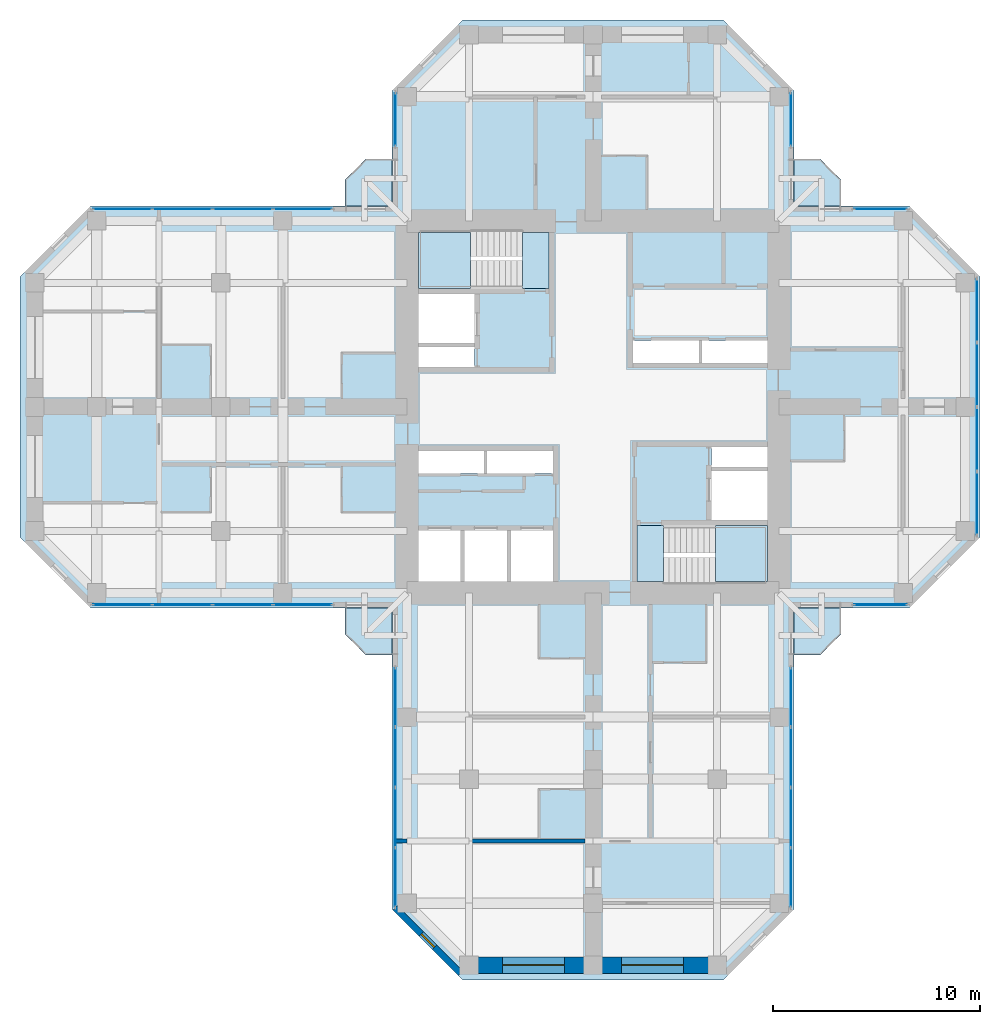
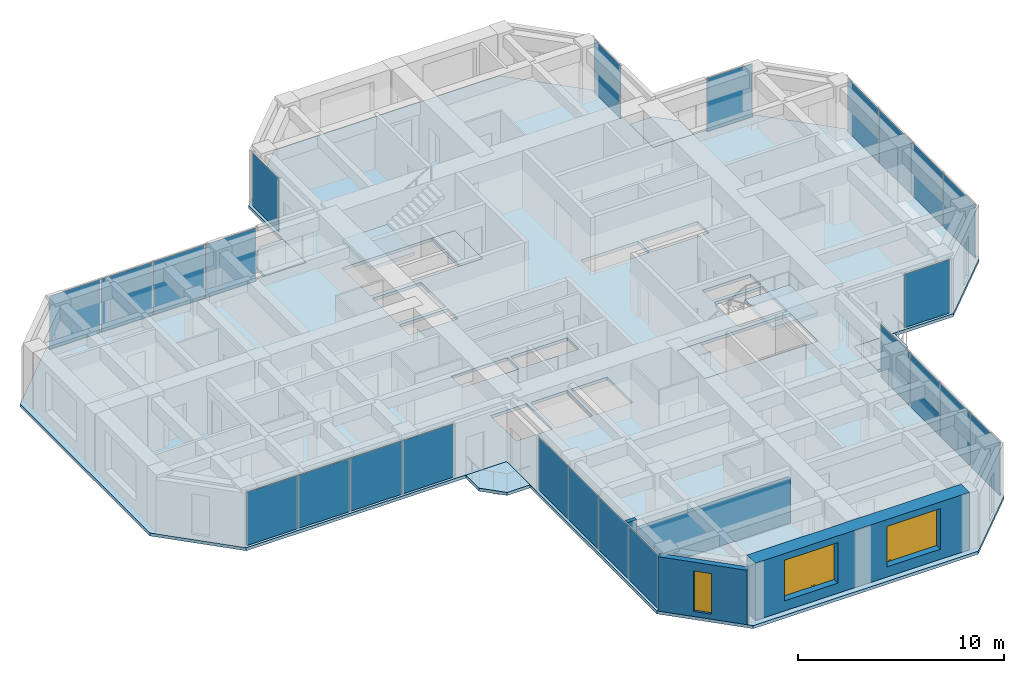
# One storey, part 7 of 13: 24 plates, 9 slabs, 4 walls, 3 windows, 3 openings, 11 elements without a shape of their own.
"""IFC4 building model written with IfcOpenShell, lengths in metres."""

import ifcopenshell
import ifcopenshell.guid

model = None  # the IFC model being written
_history = None  # IfcOwnerHistory: only IFC2X3 demands one
_inside = {}  # id of a spatial element -> (the spatial element, [elements in it])
_under = {}  # id of a project, library or spatial element -> (it, [spatial elements below it])
_declared = {}  # id of a project -> (the project, [libraries it declares])
_typed = {}  # id of a type object -> (the type object, [elements of that type])
_made_of = {}  # id of a material, layer set ... -> (it, [elements and type objects made of it])


def new_model(schema):
    """Start an empty IFC model of exactly this schema.

    Asked for "IFC4X3", IfcOpenShell would pick the latest addendum, in which some entities
    have other attributes; the version numbers below select the first issue.
    IFC2X3 requires an IfcOwnerHistory on every rooted entity: one is made here for all.
    """
    global model, _history
    if schema == "IFC4X3":
        model = ifcopenshell.file(schema_version=(4, 3, 0, 0))
    else:
        model = ifcopenshell.file(schema=schema)
    _inside.clear()
    _under.clear()
    _declared.clear()
    _typed.clear()
    _made_of.clear()
    _history = None
    if model.schema == "IFC2X3":
        org = make("IfcOrganization", Name="unknown")
        user = make(
            "IfcPersonAndOrganization",
            ThePerson=make("IfcPerson", FamilyName="unknown"),
            TheOrganization=org,
        )
        app = make(
            "IfcApplication",
            ApplicationDeveloper=org,
            Version="unknown",
            ApplicationFullName="unknown",
            ApplicationIdentifier="unknown",
        )
        _history = make(
            "IfcOwnerHistory",
            OwningUser=user,
            OwningApplication=app,
            ChangeAction="ADDED",
            CreationDate=0,
        )
    return model


def make(cls, **values):
    """One entity of the class cls with the attributes given. An attribute that is None is left unset."""
    return model.create_entity(
        cls, **{name: value for name, value in values.items() if value is not None}
    )


def rooted(cls, **values):
    """An entity with a GlobalId (a new one), such as an element, a storey or a relation."""
    return make(cls, GlobalId=ifcopenshell.guid.new(), OwnerHistory=_history, **values)


def si_unit(unit_type, name, prefix=None):
    """IfcSIUnit, for example si_unit("LENGTHUNIT", "METRE", prefix="MILLI")."""
    return make("IfcSIUnit", UnitType=unit_type, Prefix=prefix, Name=name)


def assignment(units):
    """IfcUnitAssignment: the units of a project."""
    return None if units is None else make("IfcUnitAssignment", Units=units)


def point(xyz):
    """IfcCartesianPoint."""
    return None if xyz is None else make("IfcCartesianPoint", Coordinates=xyz)


def direction(xyz):
    """IfcDirection."""
    return None if xyz is None else make("IfcDirection", DirectionRatios=xyz)


def frame(location, z_axis=None, x_axis=None):
    """IfcAxis2Placement3D, a coordinate frame: its origin and axes. An axis left out is left unset."""
    return make(
        "IfcAxis2Placement3D",
        Location=point(location),
        Axis=direction(z_axis),
        RefDirection=direction(x_axis),
    )


def frame_2d(location, x_axis=None):
    """IfcAxis2Placement2D, a coordinate frame in the plane: its origin and x axis."""
    return make(
        "IfcAxis2Placement2D", Location=point(location), RefDirection=direction(x_axis)
    )


def origin():
    """The frame at (0, 0, 0) with its axes left unset."""
    return frame((0.0, 0.0, 0.0))


def origin_2d():
    """The frame at (0, 0) in the plane with its x axis left unset."""
    return frame_2d((0.0, 0.0))


def place(relative_to, where):
    """IfcLocalPlacement: puts the frame where relative to a parent placement (None: the world)."""
    return make(
        "IfcLocalPlacement", PlacementRelTo=relative_to, RelativePlacement=where
    )


def context(
    kind, dimensions, precision=None, world=None, true_north=None, identifier=None
):
    """IfcGeometricRepresentationContext, for example the 3D "Model" context."""
    return make(
        "IfcGeometricRepresentationContext",
        ContextIdentifier=identifier,
        ContextType=kind,
        CoordinateSpaceDimension=dimensions,
        Precision=precision,
        WorldCoordinateSystem=world,
        TrueNorth=true_north,
    )


def subcontext(parent, identifier, kind, view, scale=None):
    """IfcGeometricRepresentationSubContext, for example "Body" below "Model"."""
    return make(
        "IfcGeometricRepresentationSubContext",
        ContextIdentifier=identifier,
        ContextType=kind,
        ParentContext=parent,
        TargetScale=scale,
        TargetView=view,
    )


def project(units=None, contexts=None):
    """IfcProject with its units and contexts."""
    return rooted(
        "IfcProject",
        Name="project",
        RepresentationContexts=contexts,
        UnitsInContext=assignment(units),
    )


def spatial(cls, under=None, at=None, **own):
    """A site, building, storey or space (cls), placed at a placement, below another one or the project."""
    s = rooted(cls, ObjectPlacement=at, **own)
    if under is not None:
        _under.setdefault(under.id(), (under, []))[1].append(s)
    return s


def polyline(points):
    """IfcPolyline through the points."""
    return make("IfcPolyline", Points=[point(p) for p in points])


def profile(cls, at=None, kind="AREA", **sizes):
    """A parametric profile (cls). Its sizes go by their IFC names, for example OverallWidth=200.0."""
    return make(cls, ProfileType=kind, Position=at, **sizes)


def rectangle(**sizes):
    """IfcRectangleProfileDef."""
    return profile("IfcRectangleProfileDef", **sizes)


def hollow_rectangle(**sizes):
    """IfcRectangleHollowProfileDef."""
    return profile("IfcRectangleHollowProfileDef", **sizes)


def outline(outer, holes=None, kind="AREA"):
    """IfcArbitraryClosedProfileDef: a profile drawn as a closed curve; with holes, ...WithVoids."""
    if holes is None:
        return make("IfcArbitraryClosedProfileDef", ProfileType=kind, OuterCurve=outer)
    return make(
        "IfcArbitraryProfileDefWithVoids",
        ProfileType=kind,
        OuterCurve=outer,
        InnerCurves=holes,
    )


def extrude(swept, where, along, depth):
    """IfcExtrudedAreaSolid: the profile swept, set in the frame where, extruded along a direction by depth."""
    return make(
        "IfcExtrudedAreaSolid",
        SweptArea=swept,
        Position=where,
        ExtrudedDirection=direction(along),
        Depth=depth,
    )


def shape(context_of_items, identifier, shape_type, items):
    """IfcShapeRepresentation: the items that make up one representation, for example the "Body"."""
    return make(
        "IfcShapeRepresentation",
        ContextOfItems=context_of_items,
        RepresentationIdentifier=identifier,
        RepresentationType=shape_type,
        Items=items,
    )


def material(Name=None, Category=None):
    """IfcMaterial."""
    return make("IfcMaterial", Name=Name, Category=Category)


def layer(
    of_material, thickness, ventilated=None, Name=None, Category=None, Priority=None
):
    """IfcMaterialLayer: one layer of a wall or slab, of a material (None: an air gap)."""
    return make(
        "IfcMaterialLayer",
        Material=of_material,
        LayerThickness=thickness,
        IsVentilated=ventilated,
        Name=Name,
        Category=Category,
        Priority=Priority,
    )


def layer_set(layers, Name=None):
    """IfcMaterialLayerSet."""
    return make("IfcMaterialLayerSet", MaterialLayers=layers, LayerSetName=Name)


def constituent(of_material, Name=None, Category=None, fraction=None):
    """IfcMaterialConstituent: one of the materials an element consists of."""
    return make(
        "IfcMaterialConstituent",
        Name=Name,
        Material=of_material,
        Fraction=fraction,
        Category=Category,
    )


def constituent_set(constituents=None, Name=None):
    """IfcMaterialConstituentSet."""
    return make(
        "IfcMaterialConstituentSet", Name=Name, MaterialConstituents=constituents
    )


def made_of(thing, what):
    """Note that an element or type object is made of a material, layer set ...; save() writes the relation."""
    if what is not None:
        _made_of.setdefault(what.id(), (what, []))[1].append(thing)
    return thing


def type_object(cls, material=None, **own):
    """A type object (cls), such as IfcWallType, which elements share."""
    return made_of(rooted(cls, **own), material)


def element(
    cls,
    number,
    at=None,
    inside=None,
    cuts=None,
    type_object=None,
    material=None,
    context=None,
    identifier="Body",
    shape_type=None,
    held_by="IfcProductDefinitionShape",
    body=None,
    shapes=None,
    **own,
):
    """One element of the class cls, such as IfcWall. Its Tag is "e" and its number.

    at: its placement. inside: the storey or other place that contains it. cuts: it is an
    opening in that element (IfcRelVoidsElement). A single representation is given by context,
    identifier, shape_type and body (its items); several are given by shapes. held_by: the class
    of the entity that holds the representations. save() writes the other relations.
    """
    e = rooted(cls, Tag="e%d" % number, ObjectPlacement=at, **own)
    if body is not None:
        shapes = [shape(context, identifier, shape_type, body)]
    if shapes is not None:
        e.Representation = make(held_by, Representations=shapes)
    if inside is not None:
        _inside.setdefault(inside.id(), (inside, []))[1].append(e)
    if cuts is not None:
        rooted(
            "IfcRelVoidsElement", RelatingBuildingElement=cuts, RelatedOpeningElement=e
        )
    if type_object is not None:
        _typed.setdefault(type_object.id(), (type_object, []))[1].append(e)
    return made_of(e, material)


def fill(opening, filler):
    """IfcRelFillsElement: the door or window that sits in an opening."""
    return rooted(
        "IfcRelFillsElement",
        RelatingOpeningElement=opening,
        RelatedBuildingElement=filler,
    )


def aggregate(whole, parts):
    """IfcRelAggregates: a whole, such as a stair, and the parts it consists of."""
    return rooted("IfcRelAggregates", RelatingObject=whole, RelatedObjects=parts)


def save(model, path):
    """Write the relations noted so far, then the file.

    IfcRelAggregates (storeys below a building ...), IfcRelContainedInSpatialStructure (elements
    in a storey), IfcRelDefinesByType, IfcRelAssociatesMaterial and IfcRelDeclares: one each for
    every whole, place, type object, material and project.
    """
    for whole, parts in _under.values():
        aggregate(whole, parts)
    for where, things in _inside.values():
        rooted(
            "IfcRelContainedInSpatialStructure",
            RelatedElements=things,
            RelatingStructure=where,
        )
    for kind, things in _typed.values():
        rooted("IfcRelDefinesByType", RelatedObjects=things, RelatingType=kind)
    for what, things in _made_of.values():
        rooted("IfcRelAssociatesMaterial", RelatedObjects=things, RelatingMaterial=what)
    for by, libraries in _declared.values():
        rooted("IfcRelDeclares", RelatingContext=by, RelatedDefinitions=libraries)
    model.write(path)


model = new_model("IFC4")

# Units and contexts
model_context = context("Model", 3, precision=1e-05, world=origin(), true_north=direction((0.0, 1.0)))
body_context = subcontext(model_context, "Body", "Model", "MODEL_VIEW")
ifc_project = project(units=[si_unit("LENGTHUNIT", "METRE"), si_unit("AREAUNIT", "SQUARE_METRE"), si_unit("VOLUMEUNIT", "CUBIC_METRE"), si_unit("PLANEANGLEUNIT", "RADIAN"), si_unit("MASSUNIT", "GRAM", prefix="KILO")], contexts=[model_context])

# Site, building, storey
site_placement = place(None, origin())
site = spatial("IfcSite", under=ifc_project, at=site_placement, CompositionType="ELEMENT")
building_placement = place(site_placement, origin())
building = spatial("IfcBuilding", under=site, at=building_placement, Name="Torre Cruceta", CompositionType="ELEMENT")
storey_placement = place(building_placement, frame((0.0, 0.0, 196.699951171875)))
storey = spatial("IfcBuildingStorey", under=building, at=storey_placement, Name="L49", CompositionType="ELEMENT", Elevation=196.699951171875)

# Slabs
ifc_material_1 = material(Name="Concrete G35 (fck 35 MPa)", Category="concrete")
ifc_layer_1 = layer(ifc_material_1, 0.179931640625)
ifc_layer_set_1 = layer_set([ifc_layer_1], Name="Concrete G35 (fck 35 MPa)")
slab_type_1 = type_object("IfcSlabType", Name="BALCONY SLAB 180", PredefinedType="USERDEFINED", material=ifc_layer_set_1)
slab_1_placement = place(storey_placement, frame((0.0, 0.0, -0.179931640625)))
element("IfcSlab", 1, at=slab_1_placement, inside=storey, type_object=slab_type_1, Name="Balcony slab L49 N", ObjectType="BALCONY", PredefinedType="USERDEFINED", context=body_context, shape_type="SweptSolid", body=[
    extrude(outline(polyline([(-12.0, 11.0), (-11.0, 12.0), (-9.719970703125, 12.0), (-9.719970703125, 9.719970703125), (-12.0, 9.719970703125), (-12.0, 11.0)])), origin(), (0.0, 0.0, 1.0), 0.179931640625),
])
slab_2_placement = place(storey_placement, frame((0.0, 0.0, -0.179931640625)))
element("IfcSlab", 2, at=slab_2_placement, inside=storey, type_object=slab_type_1, Name="Balcony slab L49 E", ObjectType="BALCONY", PredefinedType="USERDEFINED", context=body_context, shape_type="SweptSolid", body=[
    extrude(outline(polyline([(11.0, 12.0), (12.0, 11.0), (12.0, 9.719970703125), (9.719970703125, 9.719970703125), (9.719970703125, 12.0), (11.0, 12.0)])), origin(), (0.0, 0.0, 1.0), 0.179931640625),
])
slab_3_placement = place(storey_placement, frame((0.0, 0.0, -0.179931640625)))
element("IfcSlab", 3, at=slab_3_placement, inside=storey, type_object=slab_type_1, Name="Balcony slab L49 S", ObjectType="BALCONY", PredefinedType="USERDEFINED", context=body_context, shape_type="SweptSolid", body=[
    extrude(outline(polyline([(12.0, -11.0), (11.0, -12.0), (9.719970703125, -12.0), (9.719970703125, -9.719970703125), (12.0, -9.719970703125), (12.0, -11.0)])), origin(), (0.0, 0.0, 1.0), 0.179931640625),
])
slab_4_placement = place(storey_placement, frame((0.0, 0.0, -0.179931640625)))
element("IfcSlab", 4, at=slab_4_placement, inside=storey, type_object=slab_type_1, Name="Balcony slab L49 W", ObjectType="BALCONY", PredefinedType="USERDEFINED", context=body_context, shape_type="SweptSolid", body=[
    extrude(outline(polyline([(-11.0, -12.0), (-12.0, -11.0), (-12.0, -9.719970703125), (-9.719970703125, -9.719970703125), (-9.719970703125, -12.0), (-11.0, -12.0)])), origin(), (0.0, 0.0, 1.0), 0.179931640625),
])

# Curtain wall, plate
ifc_material_2 = material(Name="Aluminium unitised curtain wall", Category="aluminium")
curtain_wall_type = type_object("IfcCurtainWallType", Name="CURTAIN WALL CW-C CO-LIVING", PredefinedType="USERDEFINED", material=ifc_material_2)
curtain_wall_1_placement = place(storey_placement, origin())
curtain_wall_1 = element("IfcCurtainWall", 5, at=curtain_wall_1_placement, inside=storey, type_object=curtain_wall_type, Name="CW-C L49 E tip 02", ObjectType="UNITISED", PredefinedType="USERDEFINED")
ifc_material_3 = material(Name="Laminated insulating glass unit, diagonal frit 50 %", Category="glass")
ifc_material_4 = material(Name="Laminated insulating glass unit, diagonal frit 50 %", Category="glass")
ifc_layer_2 = layer(ifc_material_4, 0.030029296875)
ifc_layer_set_2 = layer_set([ifc_layer_2], Name="Laminated insulating glass unit, diagonal frit 50 %")
plate_type_1 = type_object("IfcPlateType", Name="CW-C OPERABLE VENT PANEL 30", PredefinedType="CURTAIN_PANEL", material=ifc_layer_set_2)
plate_1_placement = place(storey_placement, frame((18.570068359375, -1.55908203125, 0.010009765625), z_axis=(0.0, 0.0, 1.0), x_axis=(0.0, 1.0, 0.0)))
plate_1 = element("IfcPlate", 6, at=plate_1_placement, type_object=plate_type_1, material=ifc_material_3, Name="CW-C vent 2", PredefinedType="CURTAIN_PANEL", context=body_context, shape_type="SweptSolid", body=[
    extrude(rectangle(XDim=3.05810546875, YDim=0.030029296875, at=origin_2d()), origin(), (0.0, 0.0, 1.0), 3.14990234375),
])

curtain_wall_2_placement = place(storey_placement, origin())
curtain_wall_2 = element("IfcCurtainWall", 7, at=curtain_wall_2_placement, inside=storey, type_object=curtain_wall_type, Name="CW-C L49 W side 10", ObjectType="UNITISED", PredefinedType="USERDEFINED")
plate_2_placement = place(storey_placement, frame((-16.94482421875, 9.570068359375, 0.010009765625), z_axis=(0.0, 0.0, 1.0), x_axis=(-1.0, 0.0, 0.0)))
plate_2 = element("IfcPlate", 8, at=plate_2_placement, type_object=plate_type_1, material=ifc_material_3, Name="CW-C vent 2", PredefinedType="CURTAIN_PANEL", context=body_context, shape_type="SweptSolid", body=[
    extrude(rectangle(XDim=2.8564453125, YDim=0.030029296875, at=origin_2d()), origin(), (0.0, 0.0, 1.0), 3.14990234375),
])

curtain_wall_3_placement = place(storey_placement, origin())
curtain_wall_3 = element("IfcCurtainWall", 9, at=curtain_wall_3_placement, inside=storey, type_object=curtain_wall_type, Name="CW-C L49 W side 14", ObjectType="UNITISED", PredefinedType="USERDEFINED")
plate_3_placement = place(storey_placement, frame((-19.861328125, -9.570068359375, 0.010009765625), z_axis=(0.0, 0.0, 1.0), x_axis=(1.0, 0.0, 0.0)))
plate_3 = element("IfcPlate", 10, at=plate_3_placement, type_object=plate_type_1, material=ifc_material_3, Name="CW-C vent 2", PredefinedType="CURTAIN_PANEL", context=body_context, shape_type="SweptSolid", body=[
    extrude(rectangle(XDim=2.8564453125, YDim=0.030029296875, at=origin_2d()), origin(), (0.0, 0.0, 1.0), 3.14990234375),
])

curtain_wall_4_placement = place(storey_placement, origin())
curtain_wall_4 = element("IfcCurtainWall", 11, at=curtain_wall_4_placement, inside=storey, type_object=curtain_wall_type, Name="CW-C L49 S side 15", ObjectType="UNITISED", PredefinedType="USERDEFINED")
plate_4_placement = place(storey_placement, frame((-9.570068359375, -16.94482421875, 0.010009765625), z_axis=(0.0, 0.0, 1.0), x_axis=(0.0, -1.0, 0.0)))
plate_4 = element("IfcPlate", 12, at=plate_4_placement, type_object=plate_type_1, material=ifc_material_3, Name="CW-C vent 2", PredefinedType="CURTAIN_PANEL", context=body_context, shape_type="SweptSolid", body=[
    extrude(rectangle(XDim=2.8564453125, YDim=0.030029296875, at=origin_2d()), origin(), (0.0, 0.0, 1.0), 3.14990234375),
])

curtain_wall_5_placement = place(storey_placement, origin())
curtain_wall_5 = element("IfcCurtainWall", 13, at=curtain_wall_5_placement, inside=storey, type_object=curtain_wall_type, Name="CW-C L49 S side 19", ObjectType="UNITISED", PredefinedType="USERDEFINED")
plate_5_placement = place(storey_placement, frame((9.570068359375, -19.861328125, 0.010009765625), z_axis=(0.0, 0.0, 1.0), x_axis=(0.0, 1.0, 0.0)))
plate_5 = element("IfcPlate", 14, at=plate_5_placement, type_object=plate_type_1, material=ifc_material_3, Name="CW-C vent 2", PredefinedType="CURTAIN_PANEL", context=body_context, shape_type="SweptSolid", body=[
    extrude(rectangle(XDim=2.8564453125, YDim=0.030029296875, at=origin_2d()), origin(), (0.0, 0.0, 1.0), 3.14990234375),
])

curtain_wall_6_placement = place(storey_placement, origin())
curtain_wall_6 = element("IfcCurtainWall", 15, at=curtain_wall_6_placement, inside=storey, type_object=curtain_wall_type, Name="CW-C L49 E side 00", ObjectType="UNITISED", PredefinedType="USERDEFINED")
ifc_material_5 = material(Name="Laminated insulating glass unit, low-iron clear", Category="glass")
ifc_material_6 = material(Name="Laminated insulating glass unit, diagonal frit 50 %", Category="glass")
ifc_layer_3 = layer(ifc_material_6, 0.030029296875)
ifc_layer_set_3 = layer_set([ifc_layer_3], Name="Laminated insulating glass unit, diagonal frit 50 %")
plate_type_2 = type_object("IfcPlateType", Name="CW-C PANEL 30", PredefinedType="CURTAIN_PANEL", material=ifc_layer_set_3)
plate_6_placement = place(storey_placement, frame((13.903076171875, -9.570068359375, 0.010009765625), z_axis=(0.0, 0.0, 1.0), x_axis=(1.0, 0.0, 0.0)))
plate_6 = element("IfcPlate", 16, at=plate_6_placement, type_object=plate_type_2, material=ifc_material_5, Name="CW-C panel 1", PredefinedType="CURTAIN_PANEL", context=body_context, shape_type="SweptSolid", body=[
    extrude(rectangle(XDim=2.546142578125, YDim=0.030029296875, at=origin_2d()), origin(), (0.0, 0.0, 1.0), 3.14990234375),
])
aggregate(curtain_wall_6, [plate_6])

# Plate
plate_7_placement = place(storey_placement, frame((18.570068359375, -4.662109375, 0.010009765625), z_axis=(0.0, 0.0, 1.0), x_axis=(0.0, 1.0, 0.0)))
plate_7 = element("IfcPlate", 17, at=plate_7_placement, type_object=plate_type_2, material=ifc_material_5, Name="CW-C panel 1", PredefinedType="CURTAIN_PANEL", context=body_context, shape_type="SweptSolid", body=[
    extrude(rectangle(XDim=3.028076171875, YDim=0.030029296875, at=origin_2d()), origin(), (0.0, 0.0, 1.0), 3.14990234375),
])

plate_8_placement = place(storey_placement, frame((18.570068359375, 1.55908203125, 0.010009765625), z_axis=(0.0, 0.0, 1.0), x_axis=(0.0, 1.0, 0.0)))
plate_8 = element("IfcPlate", 18, at=plate_8_placement, type_object=plate_type_2, material=ifc_material_3, Name="CW-C panel 3", PredefinedType="CURTAIN_PANEL", context=body_context, shape_type="SweptSolid", body=[
    extrude(rectangle(XDim=3.05810546875, YDim=0.030029296875, at=origin_2d()), origin(), (0.0, 0.0, 1.0), 3.14990234375),
])

plate_9_placement = place(storey_placement, frame((18.570068359375, 4.662109375, 0.010009765625), z_axis=(0.0, 0.0, 1.0), x_axis=(0.0, 1.0, 0.0)))
plate_9 = element("IfcPlate", 19, at=plate_9_placement, type_object=plate_type_2, material=ifc_material_3, Name="CW-C panel 4", PredefinedType="CURTAIN_PANEL", context=body_context, shape_type="SweptSolid", body=[
    extrude(rectangle(XDim=3.028076171875, YDim=0.030029296875, at=origin_2d()), origin(), (0.0, 0.0, 1.0), 3.14990234375),
])

aggregate(curtain_wall_1, [plate_7, plate_1, plate_8, plate_9])

# Curtain wall, plate
curtain_wall_7_placement = place(storey_placement, origin())
curtain_wall_7 = element("IfcCurtainWall", 20, at=curtain_wall_7_placement, inside=storey, type_object=curtain_wall_type, Name="CW-C L49 E side 04", ObjectType="UNITISED", PredefinedType="USERDEFINED")
plate_10_placement = place(storey_placement, frame((13.903076171875, 9.570068359375, 0.010009765625), z_axis=(0.0, 0.0, 1.0), x_axis=(-1.0, 0.0, 0.0)))
plate_10 = element("IfcPlate", 21, at=plate_10_placement, type_object=plate_type_2, material=ifc_material_5, Name="CW-C panel 1", PredefinedType="CURTAIN_PANEL", context=body_context, shape_type="SweptSolid", body=[
    extrude(rectangle(XDim=2.546142578125, YDim=0.030029296875, at=origin_2d()), origin(), (0.0, 0.0, 1.0), 3.14990234375),
])
aggregate(curtain_wall_7, [plate_10])

curtain_wall_8_placement = place(storey_placement, origin())
curtain_wall_8 = element("IfcCurtainWall", 22, at=curtain_wall_8_placement, inside=storey, type_object=curtain_wall_type, Name="CW-C L49 N side 05", ObjectType="UNITISED", PredefinedType="USERDEFINED")
plate_11_placement = place(storey_placement, frame((9.570068359375, 13.903076171875, 0.010009765625), z_axis=(0.0, 0.0, 1.0), x_axis=(0.0, 1.0, 0.0)))
plate_11 = element("IfcPlate", 23, at=plate_11_placement, type_object=plate_type_2, material=ifc_material_5, Name="CW-C panel 1", PredefinedType="CURTAIN_PANEL", context=body_context, shape_type="SweptSolid", body=[
    extrude(rectangle(XDim=2.546142578125, YDim=0.030029296875, at=origin_2d()), origin(), (0.0, 0.0, 1.0), 3.14990234375),
])
aggregate(curtain_wall_8, [plate_11])

curtain_wall_9_placement = place(storey_placement, origin())
curtain_wall_9 = element("IfcCurtainWall", 24, at=curtain_wall_9_placement, inside=storey, type_object=curtain_wall_type, Name="CW-C L49 N side 09", ObjectType="UNITISED", PredefinedType="USERDEFINED")
plate_12_placement = place(storey_placement, frame((-9.570068359375, 13.903076171875, 0.010009765625), z_axis=(0.0, 0.0, 1.0), x_axis=(0.0, -1.0, 0.0)))
plate_12 = element("IfcPlate", 25, at=plate_12_placement, type_object=plate_type_2, material=ifc_material_5, Name="CW-C panel 1", PredefinedType="CURTAIN_PANEL", context=body_context, shape_type="SweptSolid", body=[
    extrude(rectangle(XDim=2.546142578125, YDim=0.030029296875, at=origin_2d()), origin(), (0.0, 0.0, 1.0), 3.14990234375),
])
aggregate(curtain_wall_9, [plate_12])

# Plate
plate_13_placement = place(storey_placement, frame((-14.043212890625, 9.570068359375, 0.010009765625), z_axis=(0.0, 0.0, 1.0), x_axis=(-1.0, 0.0, 0.0)))
plate_13 = element("IfcPlate", 26, at=plate_13_placement, type_object=plate_type_2, material=ifc_material_5, Name="CW-C panel 1", PredefinedType="CURTAIN_PANEL", context=body_context, shape_type="SweptSolid", body=[
    extrude(rectangle(XDim=2.826416015625, YDim=0.030029296875, at=origin_2d()), origin(), (0.0, 0.0, 1.0), 3.14990234375),
])

plate_14_placement = place(storey_placement, frame((-19.861328125, 9.570068359375, 0.010009765625), z_axis=(0.0, 0.0, 1.0), x_axis=(-1.0, 0.0, 0.0)))
plate_14 = element("IfcPlate", 27, at=plate_14_placement, type_object=plate_type_2, material=ifc_material_3, Name="CW-C panel 3", PredefinedType="CURTAIN_PANEL", context=body_context, shape_type="SweptSolid", body=[
    extrude(rectangle(XDim=2.8564453125, YDim=0.030029296875, at=origin_2d()), origin(), (0.0, 0.0, 1.0), 3.14990234375),
])

plate_15_placement = place(storey_placement, frame((-22.762939453125, 9.570068359375, 0.010009765625), z_axis=(0.0, 0.0, 1.0), x_axis=(-1.0, 0.0, 0.0)))
plate_15 = element("IfcPlate", 28, at=plate_15_placement, type_object=plate_type_2, material=ifc_material_3, Name="CW-C panel 4", PredefinedType="CURTAIN_PANEL", context=body_context, shape_type="SweptSolid", body=[
    extrude(rectangle(XDim=2.826416015625, YDim=0.030029296875, at=origin_2d()), origin(), (0.0, 0.0, 1.0), 3.14990234375),
])

aggregate(curtain_wall_2, [plate_13, plate_2, plate_14, plate_15])

plate_16_placement = place(storey_placement, frame((-22.762939453125, -9.570068359375, 0.010009765625), z_axis=(0.0, 0.0, 1.0), x_axis=(1.0, 0.0, 0.0)))
plate_16 = element("IfcPlate", 29, at=plate_16_placement, type_object=plate_type_2, material=ifc_material_5, Name="CW-C panel 1", PredefinedType="CURTAIN_PANEL", context=body_context, shape_type="SweptSolid", body=[
    extrude(rectangle(XDim=2.826416015625, YDim=0.030029296875, at=origin_2d()), origin(), (0.0, 0.0, 1.0), 3.14990234375),
])

plate_17_placement = place(storey_placement, frame((-16.94482421875, -9.570068359375, 0.010009765625), z_axis=(0.0, 0.0, 1.0), x_axis=(1.0, 0.0, 0.0)))
plate_17 = element("IfcPlate", 30, at=plate_17_placement, type_object=plate_type_2, material=ifc_material_3, Name="CW-C panel 3", PredefinedType="CURTAIN_PANEL", context=body_context, shape_type="SweptSolid", body=[
    extrude(rectangle(XDim=2.8564453125, YDim=0.030029296875, at=origin_2d()), origin(), (0.0, 0.0, 1.0), 3.14990234375),
])

plate_18_placement = place(storey_placement, frame((-14.043212890625, -9.570068359375, 0.010009765625), z_axis=(0.0, 0.0, 1.0), x_axis=(1.0, 0.0, 0.0)))
plate_18 = element("IfcPlate", 31, at=plate_18_placement, type_object=plate_type_2, material=ifc_material_3, Name="CW-C panel 4", PredefinedType="CURTAIN_PANEL", context=body_context, shape_type="SweptSolid", body=[
    extrude(rectangle(XDim=2.826416015625, YDim=0.030029296875, at=origin_2d()), origin(), (0.0, 0.0, 1.0), 3.14990234375),
])

aggregate(curtain_wall_3, [plate_16, plate_3, plate_17, plate_18])

plate_19_placement = place(storey_placement, frame((-9.570068359375, -14.043212890625, 0.010009765625), z_axis=(0.0, 0.0, 1.0), x_axis=(0.0, -1.0, 0.0)))
plate_19 = element("IfcPlate", 32, at=plate_19_placement, type_object=plate_type_2, material=ifc_material_5, Name="CW-C panel 1", PredefinedType="CURTAIN_PANEL", context=body_context, shape_type="SweptSolid", body=[
    extrude(rectangle(XDim=2.826416015625, YDim=0.030029296875, at=origin_2d()), origin(), (0.0, 0.0, 1.0), 3.14990234375),
])

plate_20_placement = place(storey_placement, frame((-9.570068359375, -19.861328125, 0.010009765625), z_axis=(0.0, 0.0, 1.0), x_axis=(0.0, -1.0, 0.0)))
plate_20 = element("IfcPlate", 33, at=plate_20_placement, type_object=plate_type_2, material=ifc_material_3, Name="CW-C panel 3", PredefinedType="CURTAIN_PANEL", context=body_context, shape_type="SweptSolid", body=[
    extrude(rectangle(XDim=2.8564453125, YDim=0.030029296875, at=origin_2d()), origin(), (0.0, 0.0, 1.0), 3.14990234375),
])

plate_21_placement = place(storey_placement, frame((-9.570068359375, -22.762939453125, 0.010009765625), z_axis=(0.0, 0.0, 1.0), x_axis=(0.0, -1.0, 0.0)))
plate_21 = element("IfcPlate", 34, at=plate_21_placement, type_object=plate_type_2, material=ifc_material_3, Name="CW-C panel 4", PredefinedType="CURTAIN_PANEL", context=body_context, shape_type="SweptSolid", body=[
    extrude(rectangle(XDim=2.826416015625, YDim=0.030029296875, at=origin_2d()), origin(), (0.0, 0.0, 1.0), 3.14990234375),
])

aggregate(curtain_wall_4, [plate_19, plate_4, plate_20, plate_21])

plate_22_placement = place(storey_placement, frame((9.570068359375, -22.762939453125, 0.010009765625), z_axis=(0.0, 0.0, 1.0), x_axis=(0.0, 1.0, 0.0)))
plate_22 = element("IfcPlate", 35, at=plate_22_placement, type_object=plate_type_2, material=ifc_material_5, Name="CW-C panel 1", PredefinedType="CURTAIN_PANEL", context=body_context, shape_type="SweptSolid", body=[
    extrude(rectangle(XDim=2.826416015625, YDim=0.030029296875, at=origin_2d()), origin(), (0.0, 0.0, 1.0), 3.14990234375),
])

plate_23_placement = place(storey_placement, frame((9.570068359375, -16.94482421875, 0.010009765625), z_axis=(0.0, 0.0, 1.0), x_axis=(0.0, 1.0, 0.0)))
plate_23 = element("IfcPlate", 36, at=plate_23_placement, type_object=plate_type_2, material=ifc_material_3, Name="CW-C panel 3", PredefinedType="CURTAIN_PANEL", context=body_context, shape_type="SweptSolid", body=[
    extrude(rectangle(XDim=2.8564453125, YDim=0.030029296875, at=origin_2d()), origin(), (0.0, 0.0, 1.0), 3.14990234375),
])

plate_24_placement = place(storey_placement, frame((9.570068359375, -14.043212890625, 0.010009765625), z_axis=(0.0, 0.0, 1.0), x_axis=(0.0, 1.0, 0.0)))
plate_24 = element("IfcPlate", 37, at=plate_24_placement, type_object=plate_type_2, material=ifc_material_3, Name="CW-C panel 4", PredefinedType="CURTAIN_PANEL", context=body_context, shape_type="SweptSolid", body=[
    extrude(rectangle(XDim=2.826416015625, YDim=0.030029296875, at=origin_2d()), origin(), (0.0, 0.0, 1.0), 3.14990234375),
])

aggregate(curtain_wall_5, [plate_22, plate_5, plate_23, plate_24])

# Slab
ifc_material_7 = material(Name="Concrete G35 (fck 35 MPa)", Category="concrete")
ifc_layer_4 = layer(ifc_material_7, 0.179931640625)
ifc_layer_set_4 = layer_set([ifc_layer_4], Name="Concrete G35 (fck 35 MPa)")
slab_type_2 = type_object("IfcSlabType", Name="FLOOR SLAB 180", PredefinedType="FLOOR", material=ifc_layer_set_4)
slab_5_placement = place(storey_placement, frame((0.0, 0.0, -0.179931640625)))
element("IfcSlab", 38, at=slab_5_placement, inside=storey, type_object=slab_type_2, Name="Floor Slab L49", PredefinedType="FLOOR", context=body_context, shape_type="SweptSolid", body=[
    extrude(outline(polyline([(9.719970703125, -9.719970703125), (9.719970703125, -24.29833984375), (6.29833984375, -27.719970703125), (-6.29833984375, -27.719970703125), (-9.719970703125, -24.29833984375), (-9.719970703125, -9.719970703125), (-24.29833984375, -9.719970703125), (-27.719970703125, -6.29833984375), (-27.719970703125, 6.29833984375), (-24.29833984375, 9.719970703125), (-9.719970703125, 9.719970703125), (-9.719970703125, 15.29833984375), (-6.29833984375, 18.719970703125), (6.29833984375, 18.719970703125), (9.719970703125, 15.29833984375), (9.719970703125, 9.719970703125), (15.29833984375, 9.719970703125), (18.719970703125, 6.29833984375), (18.719970703125, -6.29833984375), (15.29833984375, -9.719970703125), (9.719970703125, -9.719970703125)]), holes=[polyline([(1.925048828125, 2.125), (5.125, 2.125), (5.125, 3.22509765625), (1.925048828125, 3.22509765625), (1.925048828125, 2.125)]), polyline([(5.27490234375, 2.125), (8.449951171875, 2.125), (8.449951171875, 3.22509765625), (5.27490234375, 3.22509765625), (5.27490234375, 2.125)]), polyline([(-8.449951171875, 3.10009765625), (-5.72509765625, 3.10009765625), (-5.72509765625, 5.47509765625), (-8.449951171875, 5.47509765625), (-8.449951171875, 3.10009765625)]), polyline([(-8.449951171875, 1.925048828125), (-5.72509765625, 1.925048828125), (-5.72509765625, 2.89990234375), (-8.449951171875, 2.89990234375), (-8.449951171875, 1.925048828125)]), polyline([(-3.966552734375, -8.449951171875), (-1.925048828125, -8.449951171875), (-1.925048828125, -5.97509765625), (-3.966552734375, -5.97509765625), (-3.966552734375, -8.449951171875)]), polyline([(-6.208251953125, -8.449951171875), (-4.166748046875, -8.449951171875), (-4.166748046875, -5.97509765625), (-6.208251953125, -5.97509765625), (-6.208251953125, -8.449951171875)]), polyline([(-8.449951171875, -8.449951171875), (-6.408447265625, -8.449951171875), (-6.408447265625, -5.97509765625), (-8.449951171875, -5.97509765625), (-8.449951171875, -8.449951171875)]), polyline([(-5.125, -3.22509765625), (-1.925048828125, -3.22509765625), (-1.925048828125, -2.125), (-5.125, -2.125), (-5.125, -3.22509765625)]), polyline([(-8.449951171875, -3.22509765625), (-5.27490234375, -3.22509765625), (-5.27490234375, -2.125), (-8.449951171875, -2.125), (-8.449951171875, -3.22509765625)]), polyline([(5.72509765625, -5.47509765625), (8.449951171875, -5.47509765625), (8.449951171875, -3.10009765625), (5.72509765625, -3.10009765625), (5.72509765625, -5.47509765625)]), polyline([(5.72509765625, -2.89990234375), (8.449951171875, -2.89990234375), (8.449951171875, -1.925048828125), (5.72509765625, -1.925048828125), (5.72509765625, -2.89990234375)]), polyline([(-8.449951171875, 5.72509765625), (-8.449951171875, 8.449951171875), (-3.39990234375, 8.449951171875), (-2.125, 8.449951171875), (-2.125, 5.72509765625), (-3.39990234375, 5.72509765625), (-8.449951171875, 5.72509765625)]), polyline([(2.125, -5.72509765625), (3.39990234375, -5.72509765625), (8.449951171875, -5.72509765625), (8.449951171875, -8.449951171875), (3.39990234375, -8.449951171875), (2.125, -8.449951171875), (2.125, -5.72509765625)])]), origin(), (0.0, 0.0, 1.0), 0.179931640625),
])

# Stair, slab
ifc_material_8 = material(Name="Concrete G30 (fck 30 MPa)", Category="concrete")
stair_type = type_object("IfcStairType", Name="STAIR HALF-TURN 1300", PredefinedType="HALF_TURN_STAIR", material=ifc_material_8)
stair_1_placement = place(storey_placement, origin())
stair_1 = element("IfcStair", 39, at=stair_1_placement, inside=storey, type_object=stair_type, Name="Stair ST1 L49", PredefinedType="HALF_TURN_STAIR")
ifc_material_9 = material(Name="Concrete G30 (fck 30 MPa)", Category="concrete")
ifc_layer_5 = layer(ifc_material_9, 0.199951171875)
ifc_layer_set_5 = layer_set([ifc_layer_5], Name="Concrete G30 (fck 30 MPa)")
slab_type_3 = type_object("IfcSlabType", Name="STAIR LANDING 200", PredefinedType="LANDING", material=ifc_layer_set_5)
slab_6_placement = place(storey_placement, frame((0.0, 0.0, 1.5)))
slab_6 = element("IfcSlab", 40, at=slab_6_placement, type_object=slab_type_3, Name="ST1 landing 1", PredefinedType="LANDING", context=body_context, shape_type="SweptSolid", body=[
    extrude(outline(polyline([(-8.449951171875, 5.72509765625), (-5.919921875, 5.72509765625), (-5.919921875, 8.449951171875), (-8.449951171875, 8.449951171875), (-8.449951171875, 5.72509765625)])), origin(), (0.0, 0.0, 1.0), 0.199951171875),
])
aggregate(stair_1, [slab_6])

stair_2_placement = place(storey_placement, origin())
stair_2 = element("IfcStair", 41, at=stair_2_placement, inside=storey, type_object=stair_type, Name="Stair ST2 L49", PredefinedType="HALF_TURN_STAIR")
slab_7_placement = place(storey_placement, frame((0.0, 0.0, 1.5)))
slab_7 = element("IfcSlab", 42, at=slab_7_placement, type_object=slab_type_3, Name="ST2 landing 1", PredefinedType="LANDING", context=body_context, shape_type="SweptSolid", body=[
    extrude(outline(polyline([(5.919921875, -8.449951171875), (8.449951171875, -8.449951171875), (8.449951171875, -5.72509765625), (5.919921875, -5.72509765625), (5.919921875, -8.449951171875)])), origin(), (0.0, 0.0, 1.0), 0.199951171875),
])
aggregate(stair_2, [slab_7])

# Slabs
slab_8_placement = place(storey_placement, frame((0.0, 0.0, -0.199951171875)))
element("IfcSlab", 43, at=slab_8_placement, inside=storey, type_object=slab_type_3, Name="Stair ST1 floor landing L49", PredefinedType="LANDING", context=body_context, shape_type="SweptSolid", body=[
    extrude(outline(polyline([(-2.125, 8.449951171875), (-2.125, 5.72509765625), (-3.39990234375, 5.72509765625), (-3.39990234375, 8.449951171875), (-2.125, 8.449951171875)])), origin(), (0.0, 0.0, 1.0), 0.199951171875),
])
slab_9_placement = place(storey_placement, frame((0.0, 0.0, -0.199951171875)))
element("IfcSlab", 44, at=slab_9_placement, inside=storey, type_object=slab_type_3, Name="Stair ST2 floor landing L49", PredefinedType="LANDING", context=body_context, shape_type="SweptSolid", body=[
    extrude(outline(polyline([(2.125, -8.449951171875), (2.125, -5.72509765625), (3.39990234375, -5.72509765625), (3.39990234375, -8.449951171875), (2.125, -8.449951171875)])), origin(), (0.0, 0.0, 1.0), 0.199951171875),
])

# Wall, opening, window
ifc_material_10 = material(Name="Concrete G30 (fck 30 MPa)", Category="concrete")
ifc_layer_6 = layer(ifc_material_10, 0.300048828125)
ifc_layer_set_6 = layer_set([ifc_layer_6], Name="Concrete G30 (fck 30 MPa)")
wall_type_1 = type_object("IfcWallType", Name="EXPOSED CONCRETE FACADE WALL 300", PredefinedType="SOLIDWALL", material=ifc_layer_set_6)
wall_1_placement = place(storey_placement, frame((-9.570068359375, -24.236083984375, 0.0), z_axis=(0.0, 0.0, 1.0), x_axis=(0.707134062067, -0.707079499254, 0.0)))
wall_1 = element("IfcWall", 45, at=wall_1_placement, inside=storey, type_object=wall_type_1, Name="EW1 facade wall L49 S chamfer 16", PredefinedType="SOLIDWALL", context=body_context, shape_type="SweptSolid", body=[
    extrude(rectangle(XDim=4.474609375, YDim=0.300048828125, at=frame_2d((2.2373046875, 0.0))), origin(), (0.0, 0.0, 1.0), 3.219970703125),
])
opening_1_placement = place(wall_1_placement, frame((1.787109375, 0.0, 0.300048828125)))
opening_1 = element("IfcOpeningElement", 46, at=opening_1_placement, cuts=wall_1, Name="Opening WN5", PredefinedType="OPENING", context=body_context, shape_type="SweptSolid", body=[
    extrude(rectangle(XDim=0.89990234375, YDim=2.39990234375, at=frame_2d((0.449951171875, 1.199951171875))), frame((0.0, 0.159912109375, 0.0), z_axis=(0.0, -1.0, 0.0), x_axis=(1.0, 0.0, 0.0)), (0.0, 0.0, 1.0), 0.320068359375),
])
ifc_material_11 = material(Name="Aluminium window frame", Category="aluminium")
ifc_constituent_1 = constituent(ifc_material_11, Name="Frame")
ifc_material_12 = material(Name="Laminated insulating glass unit, low-iron clear", Category="glass")
ifc_constituent_2 = constituent(ifc_material_12, Name="Glazing")
ifc_constituent_set_1 = constituent_set(constituents=[ifc_constituent_1, ifc_constituent_2], Name="Aluminium window")
window_type_1 = type_object("IfcWindowType", Name="CHAMFER SLOT WINDOW 900X2400", PartitioningType="SINGLE_PANEL", PredefinedType="WINDOW", material=ifc_constituent_set_1)
window_1_placement = place(opening_1_placement, origin())
window_1 = element("IfcWindow", 47, at=window_1_placement, inside=storey, type_object=window_type_1, Name="WN5 L49 S 1", OverallHeight=2.39990234375, OverallWidth=0.89990234375, PartitioningType="SINGLE_PANEL", PredefinedType="WINDOW", context=body_context, shape_type="SweptSolid", body=[
    extrude(hollow_rectangle(XDim=0.89990234375, YDim=2.39990234375, WallThickness=0.06005859375, at=frame_2d((0.449951171875, 1.199951171875))), frame((0.0, 0.030029296875, 0.0), z_axis=(0.0, -1.0, 0.0), x_axis=(1.0, 0.0, 0.0)), (0.0, 0.0, 1.0), 0.06005859375),
    extrude(rectangle(XDim=0.77880859375, YDim=2.27880859375, at=frame_2d((0.449951171875, 1.199951171875))), frame((0.0, 0.030029296875, 0.0), z_axis=(0.0, -1.0, 0.0), x_axis=(1.0, 0.0, 0.0)), (0.0, 0.0, 1.0), 0.06005859375),
])
fill(opening_1, window_1)

# Wall, openings, windows
ifc_material_13 = material(Name="Concrete G60 (fck 60 MPa)", Category="concrete")
ifc_layer_7 = layer(ifc_material_13, 0.800048828125)
ifc_layer_set_7 = layer_set([ifc_layer_7], Name="Concrete G60 (fck 60 MPa)")
wall_type_2 = type_object("IfcWallType", Name="NOSE WALL 800 G60", PredefinedType="SHEAR", material=ifc_layer_set_7)
wall_2_placement = place(storey_placement, frame((-6.0, -27.0, 0.0), z_axis=(0.0, 0.0, 1.0), x_axis=(1.0, 0.0, 0.0)))
wall_2 = element("IfcWall", 48, at=wall_2_placement, inside=storey, type_object=wall_type_2, Name="NW2 nose wall L49 S", PredefinedType="SHEAR", context=body_context, shape_type="SweptSolid", body=[
    extrude(rectangle(XDim=12.0, YDim=0.800048828125, at=frame_2d((6.0, 0.0))), origin(), (0.0, 0.0, 1.0), 3.400146484375),
])
opening_2_placement = place(wall_2_placement, frame((1.625, 0.0, 0.60009765625)))
opening_2 = element("IfcOpeningElement", 49, at=opening_2_placement, cuts=wall_2, Name="Opening WN6", PredefinedType="OPENING", context=body_context, shape_type="SweptSolid", body=[
    extrude(rectangle(XDim=3.0, YDim=2.39990234375, at=frame_2d((1.5, 1.199951171875))), frame((0.0, 0.409912109375, 0.0), z_axis=(0.0, -1.0, 0.0), x_axis=(1.0, 0.0, 0.0)), (0.0, 0.0, 1.0), 0.820068359375),
])
opening_3_placement = place(wall_2_placement, frame((7.375, 0.0, 0.60009765625)))
opening_3 = element("IfcOpeningElement", 50, at=opening_3_placement, cuts=wall_2, Name="Opening WN6", PredefinedType="OPENING", context=body_context, shape_type="SweptSolid", body=[
    extrude(rectangle(XDim=3.0, YDim=2.39990234375, at=frame_2d((1.5, 1.199951171875))), frame((0.0, 0.409912109375, 0.0), z_axis=(0.0, -1.0, 0.0), x_axis=(1.0, 0.0, 0.0)), (0.0, 0.0, 1.0), 0.820068359375),
])
ifc_material_14 = material(Name="Aluminium window frame", Category="aluminium")
ifc_constituent_3 = constituent(ifc_material_14, Name="Frame")
ifc_material_15 = material(Name="Laminated insulating glass unit, low-iron clear", Category="glass")
ifc_constituent_4 = constituent(ifc_material_15, Name="Glazing")
ifc_constituent_set_2 = constituent_set(constituents=[ifc_constituent_3, ifc_constituent_4], Name="Aluminium window")
window_type_2 = type_object("IfcWindowType", Name="NOSE WALL WINDOW 3000X2400", PartitioningType="SINGLE_PANEL", PredefinedType="WINDOW", material=ifc_constituent_set_2)
window_2_placement = place(opening_2_placement, origin())
window_2 = element("IfcWindow", 51, at=window_2_placement, inside=storey, type_object=window_type_2, Name="WN6 L49 S 1", OverallHeight=2.39990234375, OverallWidth=3.0, PartitioningType="SINGLE_PANEL", PredefinedType="WINDOW", context=body_context, shape_type="SweptSolid", body=[
    extrude(hollow_rectangle(XDim=3.0, YDim=2.39990234375, WallThickness=0.06005859375, at=frame_2d((1.5, 1.199951171875))), frame((0.0, 0.030029296875, 0.0), z_axis=(0.0, -1.0, 0.0), x_axis=(1.0, 0.0, 0.0)), (0.0, 0.0, 1.0), 0.06005859375),
    extrude(rectangle(XDim=2.87890625, YDim=2.27880859375, at=frame_2d((1.5, 1.199951171875))), frame((0.0, 0.030029296875, 0.0), z_axis=(0.0, -1.0, 0.0), x_axis=(1.0, 0.0, 0.0)), (0.0, 0.0, 1.0), 0.06005859375),
])
fill(opening_2, window_2)
window_3_placement = place(opening_3_placement, origin())
window_3 = element("IfcWindow", 52, at=window_3_placement, inside=storey, type_object=window_type_2, Name="WN6 L49 S 2", OverallHeight=2.39990234375, OverallWidth=3.0, PartitioningType="SINGLE_PANEL", PredefinedType="WINDOW", context=body_context, shape_type="SweptSolid", body=[
    extrude(hollow_rectangle(XDim=3.0, YDim=2.39990234375, WallThickness=0.06005859375, at=frame_2d((1.5, 1.199951171875))), frame((0.0, 0.030029296875, 0.0), z_axis=(0.0, -1.0, 0.0), x_axis=(1.0, 0.0, 0.0)), (0.0, 0.0, 1.0), 0.06005859375),
    extrude(rectangle(XDim=2.87890625, YDim=2.27880859375, at=frame_2d((1.5, 1.199951171875))), frame((0.0, 0.030029296875, 0.0), z_axis=(0.0, -1.0, 0.0), x_axis=(1.0, 0.0, 0.0)), (0.0, 0.0, 1.0), 0.06005859375),
])
fill(opening_3, window_3)

# Walls
ifc_material_16 = material(Name="Concrete G25 (fck 25 MPa)", Category="concrete")
ifc_layer_8 = layer(ifc_material_16, 0.199951171875)
ifc_layer_set_8 = layer_set([ifc_layer_8], Name="Concrete G25 (fck 25 MPa)")
wall_type_3 = type_object("IfcWallType", Name="UNIT SEPARATING WALL 200", PredefinedType="SOLIDWALL", material=ifc_layer_set_8)
wall_3_placement = place(storey_placement, frame((-9.530029296875, -21.0, 0.0), z_axis=(0.0, 0.0, 1.0), x_axis=(1.0, 0.0, 0.0)))
element("IfcWall", 53, at=wall_3_placement, inside=storey, type_object=wall_type_3, Name="PT2 L49-S-ENDa", PredefinedType="SOLIDWALL", context=body_context, shape_type="SweptSolid", body=[
    extrude(rectangle(XDim=0.530029296875, YDim=0.199951171875, at=frame_2d((0.26513671875, 0.0))), origin(), (0.0, 0.0, 1.0), 3.219970703125),
])
wall_4_placement = place(storey_placement, frame((-9.0, -21.0, 0.0), z_axis=(0.0, 0.0, 1.0), x_axis=(1.0, 0.0, 0.0)))
element("IfcWall", 54, at=wall_4_placement, inside=storey, type_object=wall_type_3, Name="PT2 L49-S-ENDa 2", PredefinedType="SOLIDWALL", context=body_context, shape_type="SweptSolid", body=[
    extrude(rectangle(XDim=8.60009765625, YDim=0.199951171875, at=frame_2d((4.300048828125, 0.0))), origin(), (0.0, 0.0, 1.0), 2.6201171875),
])

save(model, "model.ifc")
